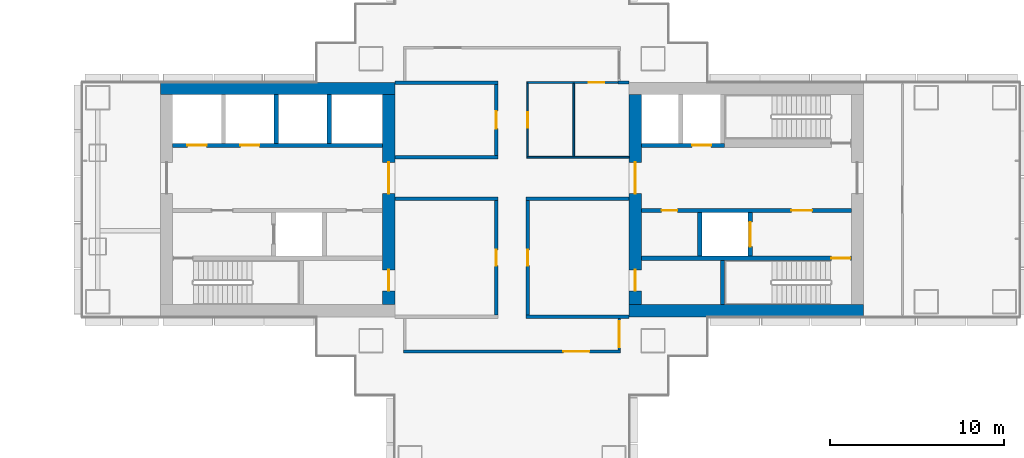
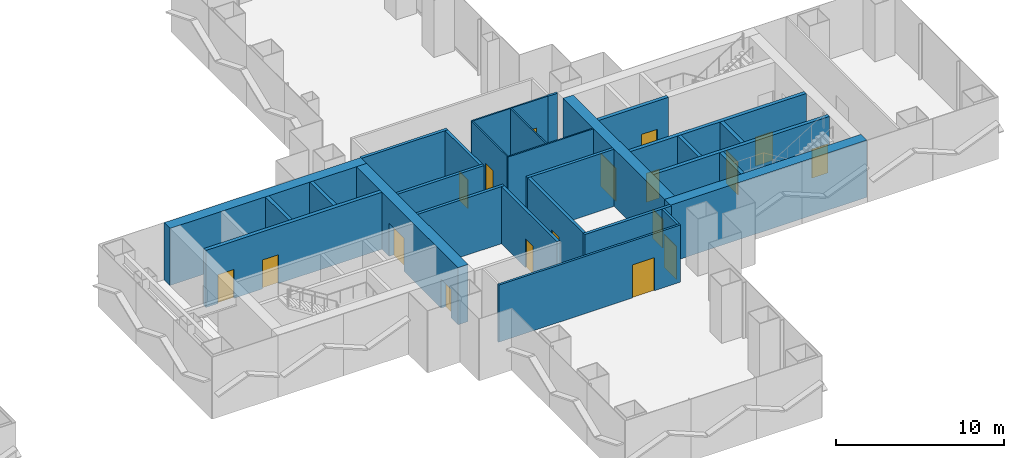
# One storey, part 16 of 22: 28 walls, 18 doors, 18 openings.
"""IFC4 building model written with IfcOpenShell, lengths in metres."""

import ifcopenshell
import ifcopenshell.guid

model = None  # the IFC model being written
_history = None  # IfcOwnerHistory: only IFC2X3 demands one
_inside = {}  # id of a spatial element -> (the spatial element, [elements in it])
_under = {}  # id of a project, library or spatial element -> (it, [spatial elements below it])
_declared = {}  # id of a project -> (the project, [libraries it declares])
_typed = {}  # id of a type object -> (the type object, [elements of that type])
_made_of = {}  # id of a material, layer set ... -> (it, [elements and type objects made of it])


def new_model(schema):
    """Start an empty IFC model of exactly this schema.

    Asked for "IFC4X3", IfcOpenShell would pick the latest addendum, in which some entities
    have other attributes; the version numbers below select the first issue.
    IFC2X3 requires an IfcOwnerHistory on every rooted entity: one is made here for all.
    """
    global model, _history
    if schema == "IFC4X3":
        model = ifcopenshell.file(schema_version=(4, 3, 0, 0))
    else:
        model = ifcopenshell.file(schema=schema)
    _inside.clear()
    _under.clear()
    _declared.clear()
    _typed.clear()
    _made_of.clear()
    _history = None
    if model.schema == "IFC2X3":
        org = make("IfcOrganization", Name="unknown")
        user = make(
            "IfcPersonAndOrganization",
            ThePerson=make("IfcPerson", FamilyName="unknown"),
            TheOrganization=org,
        )
        app = make(
            "IfcApplication",
            ApplicationDeveloper=org,
            Version="unknown",
            ApplicationFullName="unknown",
            ApplicationIdentifier="unknown",
        )
        _history = make(
            "IfcOwnerHistory",
            OwningUser=user,
            OwningApplication=app,
            ChangeAction="ADDED",
            CreationDate=0,
        )
    return model


def make(cls, **values):
    """One entity of the class cls with the attributes given. An attribute that is None is left unset."""
    return model.create_entity(
        cls, **{name: value for name, value in values.items() if value is not None}
    )


def rooted(cls, **values):
    """An entity with a GlobalId (a new one), such as an element, a storey or a relation."""
    return make(cls, GlobalId=ifcopenshell.guid.new(), OwnerHistory=_history, **values)


def si_unit(unit_type, name, prefix=None):
    """IfcSIUnit, for example si_unit("LENGTHUNIT", "METRE", prefix="MILLI")."""
    return make("IfcSIUnit", UnitType=unit_type, Prefix=prefix, Name=name)


def assignment(units):
    """IfcUnitAssignment: the units of a project."""
    return None if units is None else make("IfcUnitAssignment", Units=units)


def point(xyz):
    """IfcCartesianPoint."""
    return None if xyz is None else make("IfcCartesianPoint", Coordinates=xyz)


def direction(xyz):
    """IfcDirection."""
    return None if xyz is None else make("IfcDirection", DirectionRatios=xyz)


def frame(location, z_axis=None, x_axis=None):
    """IfcAxis2Placement3D, a coordinate frame: its origin and axes. An axis left out is left unset."""
    return make(
        "IfcAxis2Placement3D",
        Location=point(location),
        Axis=direction(z_axis),
        RefDirection=direction(x_axis),
    )


def frame_2d(location, x_axis=None):
    """IfcAxis2Placement2D, a coordinate frame in the plane: its origin and x axis."""
    return make(
        "IfcAxis2Placement2D", Location=point(location), RefDirection=direction(x_axis)
    )


def origin():
    """The frame at (0, 0, 0) with its axes left unset."""
    return frame((0.0, 0.0, 0.0))


def place(relative_to, where):
    """IfcLocalPlacement: puts the frame where relative to a parent placement (None: the world)."""
    return make(
        "IfcLocalPlacement", PlacementRelTo=relative_to, RelativePlacement=where
    )


def context(
    kind, dimensions, precision=None, world=None, true_north=None, identifier=None
):
    """IfcGeometricRepresentationContext, for example the 3D "Model" context."""
    return make(
        "IfcGeometricRepresentationContext",
        ContextIdentifier=identifier,
        ContextType=kind,
        CoordinateSpaceDimension=dimensions,
        Precision=precision,
        WorldCoordinateSystem=world,
        TrueNorth=true_north,
    )


def subcontext(parent, identifier, kind, view, scale=None):
    """IfcGeometricRepresentationSubContext, for example "Body" below "Model"."""
    return make(
        "IfcGeometricRepresentationSubContext",
        ContextIdentifier=identifier,
        ContextType=kind,
        ParentContext=parent,
        TargetScale=scale,
        TargetView=view,
    )


def project(units=None, contexts=None):
    """IfcProject with its units and contexts."""
    return rooted(
        "IfcProject",
        Name="project",
        RepresentationContexts=contexts,
        UnitsInContext=assignment(units),
    )


def spatial(cls, under=None, at=None, **own):
    """A site, building, storey or space (cls), placed at a placement, below another one or the project."""
    s = rooted(cls, ObjectPlacement=at, **own)
    if under is not None:
        _under.setdefault(under.id(), (under, []))[1].append(s)
    return s


def profile(cls, at=None, kind="AREA", **sizes):
    """A parametric profile (cls). Its sizes go by their IFC names, for example OverallWidth=200.0."""
    return make(cls, ProfileType=kind, Position=at, **sizes)


def rectangle(**sizes):
    """IfcRectangleProfileDef."""
    return profile("IfcRectangleProfileDef", **sizes)


def extrude(swept, where, along, depth):
    """IfcExtrudedAreaSolid: the profile swept, set in the frame where, extruded along a direction by depth."""
    return make(
        "IfcExtrudedAreaSolid",
        SweptArea=swept,
        Position=where,
        ExtrudedDirection=direction(along),
        Depth=depth,
    )


def shape(context_of_items, identifier, shape_type, items):
    """IfcShapeRepresentation: the items that make up one representation, for example the "Body"."""
    return make(
        "IfcShapeRepresentation",
        ContextOfItems=context_of_items,
        RepresentationIdentifier=identifier,
        RepresentationType=shape_type,
        Items=items,
    )


def material(Name=None, Category=None):
    """IfcMaterial."""
    return make("IfcMaterial", Name=Name, Category=Category)


def layer(
    of_material, thickness, ventilated=None, Name=None, Category=None, Priority=None
):
    """IfcMaterialLayer: one layer of a wall or slab, of a material (None: an air gap)."""
    return make(
        "IfcMaterialLayer",
        Material=of_material,
        LayerThickness=thickness,
        IsVentilated=ventilated,
        Name=Name,
        Category=Category,
        Priority=Priority,
    )


def layer_set(layers, Name=None):
    """IfcMaterialLayerSet."""
    return make("IfcMaterialLayerSet", MaterialLayers=layers, LayerSetName=Name)


def made_of(thing, what):
    """Note that an element or type object is made of a material, layer set ...; save() writes the relation."""
    if what is not None:
        _made_of.setdefault(what.id(), (what, []))[1].append(thing)
    return thing


def type_object(cls, material=None, **own):
    """A type object (cls), such as IfcWallType, which elements share."""
    return made_of(rooted(cls, **own), material)


def element(
    cls,
    number,
    at=None,
    inside=None,
    cuts=None,
    type_object=None,
    material=None,
    context=None,
    identifier="Body",
    shape_type=None,
    held_by="IfcProductDefinitionShape",
    body=None,
    shapes=None,
    **own,
):
    """One element of the class cls, such as IfcWall. Its Tag is "e" and its number.

    at: its placement. inside: the storey or other place that contains it. cuts: it is an
    opening in that element (IfcRelVoidsElement). A single representation is given by context,
    identifier, shape_type and body (its items); several are given by shapes. held_by: the class
    of the entity that holds the representations. save() writes the other relations.
    """
    e = rooted(cls, Tag="e%d" % number, ObjectPlacement=at, **own)
    if body is not None:
        shapes = [shape(context, identifier, shape_type, body)]
    if shapes is not None:
        e.Representation = make(held_by, Representations=shapes)
    if inside is not None:
        _inside.setdefault(inside.id(), (inside, []))[1].append(e)
    if cuts is not None:
        rooted(
            "IfcRelVoidsElement", RelatingBuildingElement=cuts, RelatedOpeningElement=e
        )
    if type_object is not None:
        _typed.setdefault(type_object.id(), (type_object, []))[1].append(e)
    return made_of(e, material)


def fill(opening, filler):
    """IfcRelFillsElement: the door or window that sits in an opening."""
    return rooted(
        "IfcRelFillsElement",
        RelatingOpeningElement=opening,
        RelatedBuildingElement=filler,
    )


def aggregate(whole, parts):
    """IfcRelAggregates: a whole, such as a stair, and the parts it consists of."""
    return rooted("IfcRelAggregates", RelatingObject=whole, RelatedObjects=parts)


def save(model, path):
    """Write the relations noted so far, then the file.

    IfcRelAggregates (storeys below a building ...), IfcRelContainedInSpatialStructure (elements
    in a storey), IfcRelDefinesByType, IfcRelAssociatesMaterial and IfcRelDeclares: one each for
    every whole, place, type object, material and project.
    """
    for whole, parts in _under.values():
        aggregate(whole, parts)
    for where, things in _inside.values():
        rooted(
            "IfcRelContainedInSpatialStructure",
            RelatedElements=things,
            RelatingStructure=where,
        )
    for kind, things in _typed.values():
        rooted("IfcRelDefinesByType", RelatedObjects=things, RelatingType=kind)
    for what, things in _made_of.values():
        rooted("IfcRelAssociatesMaterial", RelatedObjects=things, RelatingMaterial=what)
    for by, libraries in _declared.values():
        rooted("IfcRelDeclares", RelatingContext=by, RelatedDefinitions=libraries)
    model.write(path)


model = new_model("IFC4")

# Units and contexts
model_context = context("Model", 3, precision=1e-05, world=origin(), true_north=direction((0.0, 1.0)))
body_context = subcontext(model_context, "Body", "Model", "MODEL_VIEW")
ifc_project = project(units=[si_unit("LENGTHUNIT", "METRE"), si_unit("AREAUNIT", "SQUARE_METRE"), si_unit("VOLUMEUNIT", "CUBIC_METRE"), si_unit("PLANEANGLEUNIT", "RADIAN"), si_unit("MASSUNIT", "GRAM", prefix="KILO")], contexts=[model_context])

# Site, building, storey
site_placement = place(None, origin())
site = spatial("IfcSite", under=ifc_project, at=site_placement, CompositionType="ELEMENT")
building_placement = place(site_placement, origin())
building = spatial("IfcBuilding", under=site, at=building_placement, Name="Shamsa Quay Exchange Towers", CompositionType="ELEMENT")
storey_placement = place(building_placement, frame((0.0, 0.0, 37.5)))
storey = spatial("IfcBuildingStorey", under=building, at=storey_placement, Name="L07", CompositionType="ELEMENT", Elevation=37.5)

# Wall
ifc_material_1 = material(Name="Concrete C80/95", Category="concrete")
ifc_layer_1 = layer(ifc_material_1, 0.699951171875)
ifc_layer_set_1 = layer_set([ifc_layer_1], Name="CORE WALL 700 C80/95")
wall_type_1 = type_object("IfcWallType", Name="CORE WALL 700 C80/95", PredefinedType="SHEAR", material=ifc_layer_set_1)
wall_1_placement = place(storey_placement, frame((13.5, 6.39990234375, 0.0)))
element("IfcWall", 1, at=wall_1_placement, inside=storey, type_object=wall_type_1, Name="Core wall T2A-R02-PN", PredefinedType="SHEAR", context=body_context, shape_type="SweptSolid", body=[
    extrude(rectangle(XDim=13.5, YDim=0.699951171875, at=frame_2d((6.75, 0.0))), origin(), (0.0, 0.0, 1.0), 4.14990234375),
])

# Wall, openings, doors
wall_2_placement = place(storey_placement, frame((26.64990234375, 6.050048828125, 0.0), z_axis=(0.0, 0.0, 1.0), x_axis=(0.0, -1.0, 0.0)))
wall_2 = element("IfcWall", 2, at=wall_2_placement, inside=storey, type_object=wall_type_1, Name="Core wall T2A-R02-PB", PredefinedType="SHEAR", context=body_context, shape_type="SweptSolid", body=[
    extrude(rectangle(XDim=12.10009765625, YDim=0.699951171875, at=frame_2d((6.050048828125, 0.0))), origin(), (0.0, 0.0, 1.0), 4.14990234375),
])
opening_1_placement = place(wall_2_placement, frame((10.10009765625, 0.0, 0.0)))
opening_1 = element("IfcOpeningElement", 3, at=opening_1_placement, cuts=wall_2, Name="Opening T2A-R02-RD02", PredefinedType="OPENING", context=body_context, shape_type="SweptSolid", body=[
    extrude(rectangle(XDim=1.199951171875, YDim=2.10009765625, at=frame_2d((0.60009765625, 1.050048828125))), frame((0.0, 0.35986328125, 0.0), z_axis=(0.0, -1.0, 0.0), x_axis=(1.0, 0.0, 0.0)), (0.0, 0.0, 1.0), 0.719970703125),
])
opening_2_placement = place(wall_2_placement, frame((3.89990234375, 0.0, 0.0)))
opening_2 = element("IfcOpeningElement", 4, at=opening_2_placement, cuts=wall_2, Name="Opening T2A-R02-LBD03", PredefinedType="OPENING", context=body_context, shape_type="SweptSolid", body=[
    extrude(rectangle(XDim=1.800048828125, YDim=2.39990234375, at=frame_2d((0.89990234375, 1.199951171875))), frame((0.0, 0.35986328125, 0.0), z_axis=(0.0, -1.0, 0.0), x_axis=(1.0, 0.0, 0.0)), (0.0, 0.0, 1.0), 0.719970703125),
])
ifc_material_2 = material(Name="Steel, fire rated", Category="steel")
door_type_1 = type_object("IfcDoorType", Name="LIFT LOBBY DOOR PAIR 1800", OperationType="DOUBLE_DOOR_SINGLE_SWING", PredefinedType="DOOR", material=ifc_material_2)
door_1_placement = place(opening_2_placement, origin())
door_1 = element("IfcDoor", 5, at=door_1_placement, inside=storey, type_object=door_type_1, Name="T2A-R02-LBD03", OperationType="DOUBLE_DOOR_SINGLE_SWING", OverallHeight=2.39990234375, OverallWidth=1.800048828125, PredefinedType="DOOR", context=body_context, shape_type="SweptSolid", body=[
    extrude(rectangle(XDim=1.800048828125, YDim=2.39990234375, at=frame_2d((0.89990234375, 1.199951171875))), frame((0.0, 0.02490234375, 0.0), z_axis=(0.0, -1.0, 0.0), x_axis=(1.0, 0.0, 0.0)), (0.0, 0.0, 1.0), 0.050048828125),
])
fill(opening_2, door_1)
door_type_2 = type_object("IfcDoorType", Name="RISER ACCESS DOOR 1200", OperationType="SINGLE_SWING_LEFT", PredefinedType="DOOR", material=ifc_material_2)
door_2_placement = place(opening_1_placement, origin())
door_2 = element("IfcDoor", 6, at=door_2_placement, inside=storey, type_object=door_type_2, Name="T2A-R02-RD02", OperationType="SINGLE_SWING_RIGHT", OverallHeight=2.10009765625, OverallWidth=1.199951171875, PredefinedType="DOOR", context=body_context, shape_type="SweptSolid", body=[
    extrude(rectangle(XDim=1.199951171875, YDim=2.10009765625, at=frame_2d((0.60009765625, 1.050048828125))), frame((0.0, 0.02490234375, 0.0), z_axis=(0.0, -1.0, 0.0), x_axis=(1.0, 0.0, 0.0)), (0.0, 0.0, 1.0), 0.050048828125),
])
fill(opening_1, door_2)

# Wall
wall_3_placement = place(storey_placement, frame((54.0, -6.39990234375, 0.0), z_axis=(0.0, 0.0, 1.0), x_axis=(-1.0, 0.0, 0.0)))
element("IfcWall", 7, at=wall_3_placement, inside=storey, type_object=wall_type_1, Name="Core wall T2B-R02-PS", PredefinedType="SHEAR", context=body_context, shape_type="SweptSolid", body=[
    extrude(rectangle(XDim=13.5, YDim=0.699951171875, at=frame_2d((6.75, 0.0))), origin(), (0.0, 0.0, 1.0), 4.14990234375),
])

# Wall, openings, doors
wall_4_placement = place(storey_placement, frame((40.85009765625, -6.050048828125, 0.0), z_axis=(0.0, 0.0, 1.0), x_axis=(0.0, 1.0, 0.0)))
wall_4 = element("IfcWall", 8, at=wall_4_placement, inside=storey, type_object=wall_type_1, Name="Core wall T2B-R02-PB", PredefinedType="SHEAR", context=body_context, shape_type="SweptSolid", body=[
    extrude(rectangle(XDim=12.10009765625, YDim=0.699951171875, at=frame_2d((6.050048828125, 0.0))), origin(), (0.0, 0.0, 1.0), 4.14990234375),
])
opening_3_placement = place(wall_4_placement, frame((0.800048828125, 0.0, 0.0)))
opening_3 = element("IfcOpeningElement", 9, at=opening_3_placement, cuts=wall_4, Name="Opening T2B-R02-RD02", PredefinedType="OPENING", context=body_context, shape_type="SweptSolid", body=[
    extrude(rectangle(XDim=1.199951171875, YDim=2.10009765625, at=frame_2d((0.60009765625, 1.050048828125))), frame((0.0, 0.35986328125, 0.0), z_axis=(0.0, -1.0, 0.0), x_axis=(1.0, 0.0, 0.0)), (0.0, 0.0, 1.0), 0.719970703125),
])
opening_4_placement = place(wall_4_placement, frame((6.39990234375, 0.0, 0.0)))
opening_4 = element("IfcOpeningElement", 10, at=opening_4_placement, cuts=wall_4, Name="Opening T2B-R02-LBD03", PredefinedType="OPENING", context=body_context, shape_type="SweptSolid", body=[
    extrude(rectangle(XDim=1.800048828125, YDim=2.39990234375, at=frame_2d((0.89990234375, 1.199951171875))), frame((0.0, 0.35986328125, 0.0), z_axis=(0.0, -1.0, 0.0), x_axis=(1.0, 0.0, 0.0)), (0.0, 0.0, 1.0), 0.719970703125),
])
door_3_placement = place(opening_4_placement, origin())
door_3 = element("IfcDoor", 11, at=door_3_placement, inside=storey, type_object=door_type_1, Name="T2B-R02-LBD03", OperationType="DOUBLE_DOOR_SINGLE_SWING", OverallHeight=2.39990234375, OverallWidth=1.800048828125, PredefinedType="DOOR", context=body_context, shape_type="SweptSolid", body=[
    extrude(rectangle(XDim=1.800048828125, YDim=2.39990234375, at=frame_2d((0.89990234375, 1.199951171875))), frame((0.0, 0.02490234375, 0.0), z_axis=(0.0, -1.0, 0.0), x_axis=(1.0, 0.0, 0.0)), (0.0, 0.0, 1.0), 0.050048828125),
])
fill(opening_4, door_3)
door_4_placement = place(opening_3_placement, origin())
door_4 = element("IfcDoor", 12, at=door_4_placement, inside=storey, type_object=door_type_2, Name="T2B-R02-RD02", OperationType="SINGLE_SWING_LEFT", OverallHeight=2.10009765625, OverallWidth=1.199951171875, PredefinedType="DOOR", context=body_context, shape_type="SweptSolid", body=[
    extrude(rectangle(XDim=1.199951171875, YDim=2.10009765625, at=frame_2d((0.60009765625, 1.050048828125))), frame((0.0, 0.02490234375, 0.0), z_axis=(0.0, -1.0, 0.0), x_axis=(1.0, 0.0, 0.0)), (0.0, 0.0, 1.0), 0.050048828125),
])
fill(opening_3, door_4)

# Wall
ifc_material_3 = material(Name="Gypsum board partition on metal studs")
ifc_layer_2 = layer(ifc_material_3, 0.10009765625)
ifc_layer_set_2 = layer_set([ifc_layer_2], Name="Partition 100 mm NOT RATED")
wall_type_2 = type_object("IfcWallType", Name="Partition 100 mm NOT RATED", PredefinedType="PARTITIONING", material=ifc_layer_set_2)
wall_5_placement = place(storey_placement, frame((34.600341796875, 2.4501953125, 0.0)))
element("IfcWall", 13, at=wall_5_placement, inside=storey, type_object=wall_type_2, Name="Partition T2-R02-W09", PredefinedType="PARTITIONING", context=body_context, shape_type="SweptSolid", body=[
    extrude(rectangle(XDim=5.899658203125, YDim=0.10009765625, at=frame_2d((2.94970703125, 0.0))), origin(), (0.0, 0.0, 1.0), 4.14990234375),
])

# Wall, opening, door
wall_6_placement = place(storey_placement, frame((39.999755859375, 6.75, 0.0), z_axis=(0.0, 0.0, 1.0), x_axis=(-1.0, 0.0, 0.0)))
wall_6 = element("IfcWall", 14, at=wall_6_placement, inside=storey, type_object=wall_type_2, Name="Partition T2-R02-W10", PredefinedType="PARTITIONING", context=body_context, shape_type="SweptSolid", body=[
    extrude(rectangle(XDim=5.3994140625, YDim=0.10009765625, at=frame_2d((2.69970703125, 0.0))), origin(), (0.0, 0.0, 1.0), 4.14990234375),
])
opening_5_placement = place(wall_6_placement, frame((0.93115234375, 0.0, 0.0)))
opening_5 = element("IfcOpeningElement", 15, at=opening_5_placement, cuts=wall_6, Name="Opening T2-R02-D07", PredefinedType="OPENING", context=body_context, shape_type="SweptSolid", body=[
    extrude(rectangle(XDim=0.89990234375, YDim=2.10009765625, at=frame_2d((0.449951171875, 1.050048828125))), frame((0.0, 0.06005859375, 0.0), z_axis=(0.0, -1.0, 0.0), x_axis=(1.0, 0.0, 0.0)), (0.0, 0.0, 1.0), 0.1201171875),
])
ifc_material_4 = material(Name="Timber door leaf in a metal frame", Category="wood")
door_type_3 = type_object("IfcDoorType", Name="Door 900x2100 NOT RATED", OperationType="NOTDEFINED", PredefinedType="DOOR", material=ifc_material_4)
door_5_placement = place(opening_5_placement, origin())
door_5 = element("IfcDoor", 16, at=door_5_placement, inside=storey, type_object=door_type_3, Name="Door T2-R02-D07", OperationType="SINGLE_SWING_RIGHT", OverallHeight=2.10009765625, OverallWidth=0.89990234375, PredefinedType="DOOR", context=body_context, shape_type="SweptSolid", body=[
    extrude(rectangle(XDim=0.89990234375, YDim=2.10009765625, at=frame_2d((0.449951171875, 1.050048828125))), frame((0.0, 0.02490234375, 0.0), z_axis=(0.0, -1.0, 0.0), x_axis=(1.0, 0.0, 0.0)), (0.0, 0.0, 1.0), 0.050048828125),
])
fill(opening_5, door_5)

wall_7_placement = place(storey_placement, frame((34.650390625, 6.699951171875, 0.0), z_axis=(0.0, 0.0, 1.0), x_axis=(0.0, -1.0, 0.0)))
wall_7 = element("IfcWall", 17, at=wall_7_placement, inside=storey, type_object=wall_type_2, Name="Partition T2-R02-W11", PredefinedType="PARTITIONING", context=body_context, shape_type="SweptSolid", body=[
    extrude(rectangle(XDim=4.19970703125, YDim=0.10009765625, at=frame_2d((2.099853515625, 0.0))), origin(), (0.0, 0.0, 1.0), 4.14990234375),
])
opening_6_placement = place(wall_7_placement, frame((1.64990234375, 0.0, 0.0)))
opening_6 = element("IfcOpeningElement", 18, at=opening_6_placement, cuts=wall_7, Name="Opening T2-R02-D06", PredefinedType="OPENING", context=body_context, shape_type="SweptSolid", body=[
    extrude(rectangle(XDim=0.89990234375, YDim=2.10009765625, at=frame_2d((0.449951171875, 1.050048828125))), frame((0.0, 0.06005859375, 0.0), z_axis=(0.0, -1.0, 0.0), x_axis=(1.0, 0.0, 0.0)), (0.0, 0.0, 1.0), 0.1201171875),
])
door_6_placement = place(opening_6_placement, origin())
door_6 = element("IfcDoor", 19, at=door_6_placement, inside=storey, type_object=door_type_3, Name="Door T2-R02-D06", OperationType="SINGLE_SWING_RIGHT", OverallHeight=2.10009765625, OverallWidth=0.89990234375, PredefinedType="DOOR", context=body_context, shape_type="SweptSolid", body=[
    extrude(rectangle(XDim=0.89990234375, YDim=2.10009765625, at=frame_2d((0.449951171875, 1.050048828125))), frame((0.0, 0.02490234375, 0.0), z_axis=(0.0, -1.0, 0.0), x_axis=(1.0, 0.0, 0.0)), (0.0, 0.0, 1.0), 0.050048828125),
])
fill(opening_6, door_6)

# Wall
wall_8_placement = place(storey_placement, frame((37.3125, 6.699951171875, 0.0), z_axis=(0.0, 0.0, 1.0), x_axis=(0.0, -1.0, 0.0)))
element("IfcWall", 20, at=wall_8_placement, inside=storey, type_object=wall_type_2, Name="Partition T2-R02-W20", PredefinedType="PARTITIONING", context=body_context, shape_type="SweptSolid", body=[
    extrude(rectangle(XDim=4.19970703125, YDim=0.10009765625, at=frame_2d((2.099853515625, 0.0))), origin(), (0.0, 0.0, 1.0), 4.14990234375),
])

# Wall, opening, door
ifc_layer_3 = layer(ifc_material_3, 0.14990234375)
ifc_layer_set_3 = layer_set([ifc_layer_3], Name="Partition 150 mm EI 60")
wall_type_3 = type_object("IfcWallType", Name="Partition 150 mm EI 60", PredefinedType="PARTITIONING", material=ifc_layer_set_3)
wall_9_placement = place(storey_placement, frame((39.9248046875, -8.675048828125, 0.0), z_axis=(0.0, 0.0, 1.0), x_axis=(0.0, 1.0, 0.0)))
wall_9 = element("IfcWall", 21, at=wall_9_placement, inside=storey, type_object=wall_type_3, Name="Partition T2-R02-W14", PredefinedType="PARTITIONING", context=body_context, shape_type="SweptSolid", body=[
    extrude(rectangle(XDim=1.824951171875, YDim=0.14990234375, at=frame_2d((0.91259765625, 0.0))), origin(), (0.0, 0.0, 1.0), 4.14990234375),
])
opening_7_placement = place(wall_9_placement, frame((0.175048828125, 0.0, 0.0)))
opening_7 = element("IfcOpeningElement", 22, at=opening_7_placement, cuts=wall_9, Name="Opening T2-R02-D03", PredefinedType="OPENING", context=body_context, shape_type="SweptSolid", body=[
    extrude(rectangle(XDim=1.5, YDim=2.39990234375, at=frame_2d((0.75, 1.199951171875))), frame((0.0, 0.0849609375, 0.0), z_axis=(0.0, -1.0, 0.0), x_axis=(1.0, 0.0, 0.0)), (0.0, 0.0, 1.0), 0.169921875),
])
door_type_4 = type_object("IfcDoorType", Name="Door 1500x2400 FD30S pair", OperationType="NOTDEFINED", PredefinedType="DOOR", material=ifc_material_4)
door_7_placement = place(opening_7_placement, origin())
door_7 = element("IfcDoor", 23, at=door_7_placement, inside=storey, type_object=door_type_4, Name="Door T2-R02-D03", OperationType="DOUBLE_DOOR_SINGLE_SWING", OverallHeight=2.39990234375, OverallWidth=1.5, PredefinedType="DOOR", context=body_context, shape_type="SweptSolid", body=[
    extrude(rectangle(XDim=1.5, YDim=2.39990234375, at=frame_2d((0.75, 1.199951171875))), frame((0.0, 0.02490234375, 0.0), z_axis=(0.0, -1.0, 0.0), x_axis=(1.0, 0.0, 0.0)), (0.0, 0.0, 1.0), 0.050048828125),
])
fill(opening_7, door_7)

wall_10_placement = place(storey_placement, frame((27.500244140625, -8.75, 0.0)))
wall_10 = element("IfcWall", 24, at=wall_10_placement, inside=storey, type_object=wall_type_3, Name="Partition T2-R02-W18", PredefinedType="PARTITIONING", context=body_context, shape_type="SweptSolid", body=[
    extrude(rectangle(XDim=12.49951171875, YDim=0.14990234375, at=frame_2d((6.249755859375, 0.0))), origin(), (0.0, 0.0, 1.0), 4.14990234375),
])
opening_8_placement = place(wall_10_placement, frame((9.20458984375, 0.0, 0.0)))
opening_8 = element("IfcOpeningElement", 25, at=opening_8_placement, cuts=wall_10, Name="Opening T2-R02-D02", PredefinedType="OPENING", context=body_context, shape_type="SweptSolid", body=[
    extrude(rectangle(XDim=1.5, YDim=2.39990234375, at=frame_2d((0.75, 1.199951171875))), frame((0.0, 0.0849609375, 0.0), z_axis=(0.0, -1.0, 0.0), x_axis=(1.0, 0.0, 0.0)), (0.0, 0.0, 1.0), 0.169921875),
])
door_8_placement = place(opening_8_placement, origin())
door_8 = element("IfcDoor", 26, at=door_8_placement, inside=storey, type_object=door_type_4, Name="Door T2-R02-D02", OperationType="DOUBLE_DOOR_SINGLE_SWING", OverallHeight=2.39990234375, OverallWidth=1.5, PredefinedType="DOOR", context=body_context, shape_type="SweptSolid", body=[
    extrude(rectangle(XDim=1.5, YDim=2.39990234375, at=frame_2d((0.75, 1.199951171875))), frame((0.0, 0.02490234375, 0.0), z_axis=(0.0, -1.0, 0.0), x_axis=(1.0, 0.0, 0.0)), (0.0, 0.0, 1.0), 0.050048828125),
])
fill(opening_8, door_8)

# Walls
wall_11_placement = place(storey_placement, frame((40.5, 6.75, 0.0), z_axis=(0.0, 0.0, 1.0), x_axis=(-1.0, 0.0, 0.0)))
element("IfcWall", 27, at=wall_11_placement, inside=storey, type_object=wall_type_3, Name="Partition T2-R02-W21", PredefinedType="PARTITIONING", context=body_context, shape_type="SweptSolid", body=[
    extrude(rectangle(XDim=0.650146484375, YDim=0.14990234375, at=frame_2d((0.3251953125, 0.0))), origin(), (0.0, 0.0, 1.0), 4.14990234375),
])
ifc_layer_4 = layer(ifc_material_3, 0.199951171875)
ifc_layer_set_4 = layer_set([ifc_layer_4], Name="Partition 200 mm EI 120")
wall_type_4 = type_object("IfcWallType", Name="Partition 200 mm EI 120", PredefinedType="PARTITIONING", material=ifc_layer_set_4)
wall_12_placement = place(storey_placement, frame((32.94970703125, 6.75, 0.0), z_axis=(0.0, 0.0, 1.0), x_axis=(-1.0, 0.0, 0.0)))
element("IfcWall", 28, at=wall_12_placement, inside=storey, type_object=wall_type_4, Name="Partition T2-R02-W01", PredefinedType="PARTITIONING", context=body_context, shape_type="SweptSolid", body=[
    extrude(rectangle(XDim=5.94970703125, YDim=0.199951171875, at=frame_2d((2.974853515625, 0.0))), origin(), (0.0, 0.0, 1.0), 4.14990234375),
])

# Wall, opening, door
wall_13_placement = place(storey_placement, frame((32.849609375, 2.55029296875, 0.0), z_axis=(0.0, 0.0, 1.0), x_axis=(0.0, 1.0, 0.0)))
wall_13 = element("IfcWall", 29, at=wall_13_placement, inside=storey, type_object=wall_type_4, Name="Partition T2-R02-W02", PredefinedType="PARTITIONING", context=body_context, shape_type="SweptSolid", body=[
    extrude(rectangle(XDim=4.099609375, YDim=0.199951171875, at=frame_2d((2.0498046875, 0.0))), origin(), (0.0, 0.0, 1.0), 4.14990234375),
])
opening_9_placement = place(wall_13_placement, frame((1.5498046875, 0.0, 0.0)))
opening_9 = element("IfcOpeningElement", 30, at=opening_9_placement, cuts=wall_13, Name="Opening T2-R02-D09", PredefinedType="OPENING", context=body_context, shape_type="SweptSolid", body=[
    extrude(rectangle(XDim=1.0, YDim=2.10009765625, at=frame_2d((0.5, 1.050048828125))), frame((0.0, 0.10986328125, 0.0), z_axis=(0.0, -1.0, 0.0), x_axis=(1.0, 0.0, 0.0)), (0.0, 0.0, 1.0), 0.219970703125),
])
door_type_5 = type_object("IfcDoorType", Name="Door 1000x2100 FD60", OperationType="NOTDEFINED", PredefinedType="DOOR", material=ifc_material_4)
door_9_placement = place(opening_9_placement, origin())
door_9 = element("IfcDoor", 31, at=door_9_placement, inside=storey, type_object=door_type_5, Name="Door T2-R02-D09", OperationType="SINGLE_SWING_RIGHT", OverallHeight=2.10009765625, OverallWidth=1.0, PredefinedType="DOOR", context=body_context, shape_type="SweptSolid", body=[
    extrude(rectangle(XDim=1.0, YDim=2.10009765625, at=frame_2d((0.5, 1.050048828125))), frame((0.0, 0.02490234375, 0.0), z_axis=(0.0, -1.0, 0.0), x_axis=(1.0, 0.0, 0.0)), (0.0, 0.0, 1.0), 0.050048828125),
])
fill(opening_9, door_9)

wall_14_placement = place(storey_placement, frame((32.849609375, -6.64990234375, 0.0), z_axis=(0.0, 0.0, 1.0), x_axis=(0.0, 1.0, 0.0)))
wall_14 = element("IfcWall", 32, at=wall_14_placement, inside=storey, type_object=wall_type_4, Name="Partition T2-R02-W03", PredefinedType="PARTITIONING", context=body_context, shape_type="SweptSolid", body=[
    extrude(rectangle(XDim=6.599609375, YDim=0.199951171875, at=frame_2d((3.2998046875, 0.0))), origin(), (0.0, 0.0, 1.0), 4.14990234375),
])
opening_10_placement = place(wall_14_placement, frame((2.849853515625, 0.0, 0.0)))
opening_10 = element("IfcOpeningElement", 33, at=opening_10_placement, cuts=wall_14, Name="Opening T2-R02-D08", PredefinedType="OPENING", context=body_context, shape_type="SweptSolid", body=[
    extrude(rectangle(XDim=0.89990234375, YDim=2.10009765625, at=frame_2d((0.449951171875, 1.050048828125))), frame((0.0, 0.10986328125, 0.0), z_axis=(0.0, -1.0, 0.0), x_axis=(1.0, 0.0, 0.0)), (0.0, 0.0, 1.0), 0.219970703125),
])
door_type_6 = type_object("IfcDoorType", Name="Door 900x2100 FD60", OperationType="NOTDEFINED", PredefinedType="DOOR", material=ifc_material_4)
door_10_placement = place(opening_10_placement, origin())
door_10 = element("IfcDoor", 34, at=door_10_placement, inside=storey, type_object=door_type_6, Name="Door T2-R02-D08", OperationType="SINGLE_SWING_RIGHT", OverallHeight=2.10009765625, OverallWidth=0.89990234375, PredefinedType="DOOR", context=body_context, shape_type="SweptSolid", body=[
    extrude(rectangle(XDim=0.89990234375, YDim=2.10009765625, at=frame_2d((0.449951171875, 1.050048828125))), frame((0.0, 0.02490234375, 0.0), z_axis=(0.0, -1.0, 0.0), x_axis=(1.0, 0.0, 0.0)), (0.0, 0.0, 1.0), 0.050048828125),
])
fill(opening_10, door_10)

# Walls
wall_15_placement = place(storey_placement, frame((27.0, 2.4501953125, 0.0)))
element("IfcWall", 35, at=wall_15_placement, inside=storey, type_object=wall_type_4, Name="Partition T2-R02-W04", PredefinedType="PARTITIONING", context=body_context, shape_type="SweptSolid", body=[
    extrude(rectangle(XDim=5.94970703125, YDim=0.199951171875, at=frame_2d((2.974853515625, 0.0))), origin(), (0.0, 0.0, 1.0), 4.14990234375),
])
for number, where, z_axis, x_axis, name in (
    (36, (32.94970703125, 0.0498046875, 0.0), (0.0, 0.0, 1.0), (-1.0, 0.0, 0.0), "Partition T2-R02-W05"),
    (37, (40.5, 0.0498046875, 0.0), (0.0, 0.0, 1.0), (-1.0, 0.0, 0.0), "Partition T2-R02-W06"),
):
    element("IfcWall", number, at=place(storey_placement, frame(where, z_axis=z_axis, x_axis=x_axis)), inside=storey, type_object=wall_type_4, Name=name, PredefinedType="PARTITIONING", context=body_context, shape_type="SweptSolid", body=[
        extrude(rectangle(XDim=5.94970703125, YDim=0.199951171875, at=frame_2d((2.974853515625, 0.0))), origin(), (0.0, 0.0, 1.0), 4.14990234375),
    ])
wall_16_placement = place(storey_placement, frame((34.55029296875, -6.75, 0.0)))
element("IfcWall", 38, at=wall_16_placement, inside=storey, type_object=wall_type_4, Name="Partition T2-R02-W07", PredefinedType="PARTITIONING", context=body_context, shape_type="SweptSolid", body=[
    extrude(rectangle(XDim=5.94970703125, YDim=0.199951171875, at=frame_2d((2.974853515625, 0.0))), origin(), (0.0, 0.0, 1.0), 4.14990234375),
])

# Wall, opening, door
wall_17_placement = place(storey_placement, frame((34.650390625, -0.05029296875, 0.0), z_axis=(0.0, 0.0, 1.0), x_axis=(0.0, -1.0, 0.0)))
wall_17 = element("IfcWall", 39, at=wall_17_placement, inside=storey, type_object=wall_type_4, Name="Partition T2-R02-W12", PredefinedType="PARTITIONING", context=body_context, shape_type="SweptSolid", body=[
    extrude(rectangle(XDim=6.599609375, YDim=0.199951171875, at=frame_2d((3.2998046875, 0.0))), origin(), (0.0, 0.0, 1.0), 4.14990234375),
])
opening_11_placement = place(wall_17_placement, frame((2.849853515625, 0.0, 0.0)))
opening_11 = element("IfcOpeningElement", 40, at=opening_11_placement, cuts=wall_17, Name="Opening T2-R02-D05", PredefinedType="OPENING", context=body_context, shape_type="SweptSolid", body=[
    extrude(rectangle(XDim=0.89990234375, YDim=2.10009765625, at=frame_2d((0.449951171875, 1.050048828125))), frame((0.0, 0.10986328125, 0.0), z_axis=(0.0, -1.0, 0.0), x_axis=(1.0, 0.0, 0.0)), (0.0, 0.0, 1.0), 0.219970703125),
])
door_11_placement = place(opening_11_placement, origin())
door_11 = element("IfcDoor", 41, at=door_11_placement, inside=storey, type_object=door_type_6, Name="Door T2-R02-D05", OperationType="SINGLE_SWING_RIGHT", OverallHeight=2.10009765625, OverallWidth=0.89990234375, PredefinedType="DOOR", context=body_context, shape_type="SweptSolid", body=[
    extrude(rectangle(XDim=0.89990234375, YDim=2.10009765625, at=frame_2d((0.449951171875, 1.050048828125))), frame((0.0, 0.02490234375, 0.0), z_axis=(0.0, -1.0, 0.0), x_axis=(1.0, 0.0, 0.0)), (0.0, 0.0, 1.0), 0.050048828125),
])
fill(opening_11, door_11)

# Wall, openings, doors
ifc_material_5 = material(Name="Concrete C50/60", Category="concrete")
ifc_layer_5 = layer(ifc_material_5, 0.25)
ifc_layer_set_5 = layer_set([ifc_layer_5], Name="SHAFT WALL 250 C50/60")
wall_type_5 = type_object("IfcWallType", Name="SHAFT WALL 250 C50/60", PredefinedType="SHEAR", material=ifc_layer_set_5)
wall_18_placement = place(storey_placement, frame((14.199951171875, 3.125, 0.0)))
wall_18 = element("IfcWall", 42, at=wall_18_placement, inside=storey, type_object=wall_type_5, Name="Shaft wall T2A-R02-N", PredefinedType="SHEAR", context=body_context, shape_type="SweptSolid", body=[
    extrude(rectangle(XDim=12.10009765625, YDim=0.25, at=frame_2d((6.050048828125, 0.0))), origin(), (0.0, 0.0, 1.0), 4.14990234375),
])
opening_12_placement = place(wall_18_placement, frame((0.85009765625, 0.0, 0.0)))
opening_12 = element("IfcOpeningElement", 43, at=opening_12_placement, cuts=wall_18, Name="Opening T2A-R02-LD08", PredefinedType="OPENING", context=body_context, shape_type="SweptSolid", body=[
    extrude(rectangle(XDim=1.10009765625, YDim=2.10009765625, at=frame_2d((0.550048828125, 1.050048828125))), frame((0.0, 0.135009765625, 0.0), z_axis=(0.0, -1.0, 0.0), x_axis=(1.0, 0.0, 0.0)), (0.0, 0.0, 1.0), 0.27001953125),
])
opening_13_placement = place(wall_18_placement, frame((3.89990234375, 0.0, 0.0)))
opening_13 = element("IfcOpeningElement", 44, at=opening_13_placement, cuts=wall_18, Name="Opening T2A-R02-LD09", PredefinedType="OPENING", context=body_context, shape_type="SweptSolid", body=[
    extrude(rectangle(XDim=1.10009765625, YDim=2.10009765625, at=frame_2d((0.550048828125, 1.050048828125))), frame((0.0, 0.135009765625, 0.0), z_axis=(0.0, -1.0, 0.0), x_axis=(1.0, 0.0, 0.0)), (0.0, 0.0, 1.0), 0.27001953125),
])
door_type_7 = type_object("IfcDoorType", Name="LANDING DOOR 1100", OperationType="SLIDING_TO_LEFT", PredefinedType="DOOR", material=ifc_material_2)
door_12_placement = place(opening_12_placement, origin())
door_12 = element("IfcDoor", 45, at=door_12_placement, inside=storey, type_object=door_type_7, Name="T2A-R02-LD08", OperationType="SLIDING_TO_LEFT", OverallHeight=2.10009765625, OverallWidth=1.10009765625, PredefinedType="DOOR", context=body_context, shape_type="SweptSolid", body=[
    extrude(rectangle(XDim=1.10009765625, YDim=2.10009765625, at=frame_2d((0.550048828125, 1.050048828125))), frame((0.0, 0.02490234375, 0.0), z_axis=(0.0, -1.0, 0.0), x_axis=(1.0, 0.0, 0.0)), (0.0, 0.0, 1.0), 0.050048828125),
])
fill(opening_12, door_12)
door_13_placement = place(opening_13_placement, origin())
door_13 = element("IfcDoor", 46, at=door_13_placement, inside=storey, type_object=door_type_7, Name="T2A-R02-LD09", OperationType="SLIDING_TO_LEFT", OverallHeight=2.10009765625, OverallWidth=1.10009765625, PredefinedType="DOOR", context=body_context, shape_type="SweptSolid", body=[
    extrude(rectangle(XDim=1.10009765625, YDim=2.10009765625, at=frame_2d((0.550048828125, 1.050048828125))), frame((0.0, 0.02490234375, 0.0), z_axis=(0.0, -1.0, 0.0), x_axis=(1.0, 0.0, 0.0)), (0.0, 0.0, 1.0), 0.050048828125),
])
fill(opening_13, door_13)

# Walls
for number, where, z_axis, x_axis, name in (
    (47, (20.175048828125, 3.25, 0.0), (0.0, 0.0, 1.0), (0.0, 1.0, 0.0), "Shaft wall T2A-R02-D1"),
    (48, (23.22509765625, 3.25, 0.0), (0.0, 0.0, 1.0), (0.0, 1.0, 0.0), "Shaft wall T2A-R02-D2"),
):
    element("IfcWall", number, at=place(storey_placement, frame(where, z_axis=z_axis, x_axis=x_axis)), inside=storey, type_object=wall_type_5, Name=name, PredefinedType="SHEAR", context=body_context, shape_type="SweptSolid", body=[
        extrude(rectangle(XDim=2.800048828125, YDim=0.25, at=frame_2d((1.39990234375, 0.0))), origin(), (0.0, 0.0, 1.0), 4.14990234375),
    ])

# Wall, opening, door
wall_19_placement = place(storey_placement, frame((53.300048828125, -3.375, 0.0), z_axis=(0.0, 0.0, 1.0), x_axis=(-1.0, 0.0, 0.0)))
wall_19 = element("IfcWall", 49, at=wall_19_placement, inside=storey, type_object=wall_type_5, Name="Shaft wall T2B-R02-STL", PredefinedType="SHEAR", context=body_context, shape_type="SweptSolid", body=[
    extrude(rectangle(XDim=12.10009765625, YDim=0.25, at=frame_2d((6.050048828125, 0.0))), origin(), (0.0, 0.0, 1.0), 4.14990234375),
])
opening_14_placement = place(wall_19_placement, frame((0.050048828125, 0.0, 0.0)))
opening_14 = element("IfcOpeningElement", 50, at=opening_14_placement, cuts=wall_19, Name="Opening T2B-R02-SD04", PredefinedType="OPENING", context=body_context, shape_type="SweptSolid", body=[
    extrude(rectangle(XDim=1.10009765625, YDim=2.10009765625, at=frame_2d((0.550048828125, 1.050048828125))), frame((0.0, 0.135009765625, 0.0), z_axis=(0.0, -1.0, 0.0), x_axis=(1.0, 0.0, 0.0)), (0.0, 0.0, 1.0), 0.27001953125),
])
door_type_8 = type_object("IfcDoorType", Name="STAIR DOOR 1100", OperationType="SINGLE_SWING_LEFT", PredefinedType="DOOR", material=ifc_material_2)
door_14_placement = place(opening_14_placement, origin())
door_14 = element("IfcDoor", 51, at=door_14_placement, inside=storey, type_object=door_type_8, Name="T2B-R02-SD04", OperationType="SINGLE_SWING_LEFT", OverallHeight=2.10009765625, OverallWidth=1.10009765625, PredefinedType="DOOR", context=body_context, shape_type="SweptSolid", body=[
    extrude(rectangle(XDim=1.10009765625, YDim=2.10009765625, at=frame_2d((0.550048828125, 1.050048828125))), frame((0.0, 0.02490234375, 0.0), z_axis=(0.0, -1.0, 0.0), x_axis=(1.0, 0.0, 0.0)), (0.0, 0.0, 1.0), 0.050048828125),
])
fill(opening_14, door_14)

# Wall
wall_20_placement = place(storey_placement, frame((45.875, -6.050048828125, 0.0), z_axis=(0.0, 0.0, 1.0), x_axis=(0.0, 1.0, 0.0)))
element("IfcWall", 52, at=wall_20_placement, inside=storey, type_object=wall_type_5, Name="Shaft wall T2B-R02-STF", PredefinedType="SHEAR", context=body_context, shape_type="SweptSolid", body=[
    extrude(rectangle(XDim=2.550048828125, YDim=0.25, at=frame_2d((1.27490234375, 0.0))), origin(), (0.0, 0.0, 1.0), 4.14990234375),
])

# Wall, openings, doors
wall_21_placement = place(storey_placement, frame((53.300048828125, -0.625, 0.0), z_axis=(0.0, 0.0, 1.0), x_axis=(-1.0, 0.0, 0.0)))
wall_21 = element("IfcWall", 53, at=wall_21_placement, inside=storey, type_object=wall_type_5, Name="Shaft wall T2B-R02-B", PredefinedType="SHEAR", context=body_context, shape_type="SweptSolid", body=[
    extrude(rectangle(XDim=12.10009765625, YDim=0.25, at=frame_2d((6.050048828125, 0.0))), origin(), (0.0, 0.0, 1.0), 4.14990234375),
])
opening_15_placement = place(wall_21_placement, frame((2.25, 0.0, 0.0)))
opening_15 = element("IfcOpeningElement", 54, at=opening_15_placement, cuts=wall_21, Name="Opening T2B-R02-FD05", PredefinedType="OPENING", context=body_context, shape_type="SweptSolid", body=[
    extrude(rectangle(XDim=1.199951171875, YDim=2.10009765625, at=frame_2d((0.60009765625, 1.050048828125))), frame((0.0, 0.135009765625, 0.0), z_axis=(0.0, -1.0, 0.0), x_axis=(1.0, 0.0, 0.0)), (0.0, 0.0, 1.0), 0.27001953125),
])
opening_16_placement = place(wall_21_placement, frame((10.02490234375, 0.0, 0.0)))
opening_16 = element("IfcOpeningElement", 55, at=opening_16_placement, cuts=wall_21, Name="Opening T2B-R02-SV06", PredefinedType="OPENING", context=body_context, shape_type="SweptSolid", body=[
    extrude(rectangle(XDim=0.89990234375, YDim=2.10009765625, at=frame_2d((0.449951171875, 1.050048828125))), frame((0.0, 0.135009765625, 0.0), z_axis=(0.0, -1.0, 0.0), x_axis=(1.0, 0.0, 0.0)), (0.0, 0.0, 1.0), 0.27001953125),
])
door_type_9 = type_object("IfcDoorType", Name="FIRE SERVICE LOBBY DOOR 1200", OperationType="SINGLE_SWING_LEFT", PredefinedType="DOOR", material=ifc_material_2)
door_15_placement = place(opening_15_placement, origin())
door_15 = element("IfcDoor", 56, at=door_15_placement, inside=storey, type_object=door_type_9, Name="T2B-R02-FD05", OperationType="SINGLE_SWING_LEFT", OverallHeight=2.10009765625, OverallWidth=1.199951171875, PredefinedType="DOOR", context=body_context, shape_type="SweptSolid", body=[
    extrude(rectangle(XDim=1.199951171875, YDim=2.10009765625, at=frame_2d((0.60009765625, 1.050048828125))), frame((0.0, 0.02490234375, 0.0), z_axis=(0.0, -1.0, 0.0), x_axis=(1.0, 0.0, 0.0)), (0.0, 0.0, 1.0), 0.050048828125),
])
fill(opening_15, door_15)
door_type_10 = type_object("IfcDoorType", Name="SERVICE ROOM DOOR 900", OperationType="SINGLE_SWING_LEFT", PredefinedType="DOOR", material=ifc_material_2)
door_16_placement = place(opening_16_placement, origin())
door_16 = element("IfcDoor", 57, at=door_16_placement, inside=storey, type_object=door_type_10, Name="T2B-R02-SV06", OperationType="SINGLE_SWING_RIGHT", OverallHeight=2.10009765625, OverallWidth=0.89990234375, PredefinedType="DOOR", context=body_context, shape_type="SweptSolid", body=[
    extrude(rectangle(XDim=0.89990234375, YDim=2.10009765625, at=frame_2d((0.449951171875, 1.050048828125))), frame((0.0, 0.02490234375, 0.0), z_axis=(0.0, -1.0, 0.0), x_axis=(1.0, 0.0, 0.0)), (0.0, 0.0, 1.0), 0.050048828125),
])
fill(opening_16, door_16)

# Wall, opening, door
wall_22_placement = place(storey_placement, frame((47.47509765625, -3.25, 0.0), z_axis=(0.0, 0.0, 1.0), x_axis=(0.0, 1.0, 0.0)))
wall_22 = element("IfcWall", 58, at=wall_22_placement, inside=storey, type_object=wall_type_5, Name="Shaft wall T2B-R02-FFF", PredefinedType="SHEAR", context=body_context, shape_type="SweptSolid", body=[
    extrude(rectangle(XDim=2.5, YDim=0.25, at=frame_2d((1.25, 0.0))), origin(), (0.0, 0.0, 1.0), 4.14990234375),
])
opening_17_placement = place(wall_22_placement, frame((0.550048828125, 0.0, 0.0)))
opening_17 = element("IfcOpeningElement", 59, at=opening_17_placement, cuts=wall_22, Name="Opening T2B-R02-LDG07", PredefinedType="OPENING", context=body_context, shape_type="SweptSolid", body=[
    extrude(rectangle(XDim=1.39990234375, YDim=2.39990234375, at=frame_2d((0.699951171875, 1.199951171875))), frame((0.0, 0.135009765625, 0.0), z_axis=(0.0, -1.0, 0.0), x_axis=(1.0, 0.0, 0.0)), (0.0, 0.0, 1.0), 0.27001953125),
])
door_type_11 = type_object("IfcDoorType", Name="GOODS LIFT LANDING DOOR 1400", OperationType="SLIDING_TO_LEFT", PredefinedType="DOOR", material=ifc_material_2)
door_17_placement = place(opening_17_placement, origin())
door_17 = element("IfcDoor", 60, at=door_17_placement, inside=storey, type_object=door_type_11, Name="T2B-R02-LDG07", OperationType="SLIDING_TO_LEFT", OverallHeight=2.39990234375, OverallWidth=1.39990234375, PredefinedType="DOOR", context=body_context, shape_type="SweptSolid", body=[
    extrude(rectangle(XDim=1.39990234375, YDim=2.39990234375, at=frame_2d((0.699951171875, 1.199951171875))), frame((0.0, 0.02490234375, 0.0), z_axis=(0.0, -1.0, 0.0), x_axis=(1.0, 0.0, 0.0)), (0.0, 0.0, 1.0), 0.050048828125),
])
fill(opening_17, door_17)

# Wall
wall_23_placement = place(storey_placement, frame((44.574951171875, -3.25, 0.0), z_axis=(0.0, 0.0, 1.0), x_axis=(0.0, 1.0, 0.0)))
element("IfcWall", 61, at=wall_23_placement, inside=storey, type_object=wall_type_5, Name="Shaft wall T2B-R02-FFB", PredefinedType="SHEAR", context=body_context, shape_type="SweptSolid", body=[
    extrude(rectangle(XDim=2.5, YDim=0.25, at=frame_2d((1.25, 0.0))), origin(), (0.0, 0.0, 1.0), 4.14990234375),
])

# Wall, opening, door
wall_24_placement = place(storey_placement, frame((46.0, 3.125, 0.0), z_axis=(0.0, 0.0, 1.0), x_axis=(-1.0, 0.0, 0.0)))
wall_24 = element("IfcWall", 62, at=wall_24_placement, inside=storey, type_object=wall_type_5, Name="Shaft wall T2B-R02-N2", PredefinedType="SHEAR", context=body_context, shape_type="SweptSolid", body=[
    extrude(rectangle(XDim=4.800048828125, YDim=0.25, at=frame_2d((2.39990234375, 0.0))), origin(), (0.0, 0.0, 1.0), 4.14990234375),
])
opening_18_placement = place(wall_24_placement, frame((0.77490234375, 0.0, 0.0)))
opening_18 = element("IfcOpeningElement", 63, at=opening_18_placement, cuts=wall_24, Name="Opening T2B-R02-LD09", PredefinedType="OPENING", context=body_context, shape_type="SweptSolid", body=[
    extrude(rectangle(XDim=1.10009765625, YDim=2.10009765625, at=frame_2d((0.550048828125, 1.050048828125))), frame((0.0, 0.135009765625, 0.0), z_axis=(0.0, -1.0, 0.0), x_axis=(1.0, 0.0, 0.0)), (0.0, 0.0, 1.0), 0.27001953125),
])
door_18_placement = place(opening_18_placement, origin())
door_18 = element("IfcDoor", 64, at=door_18_placement, inside=storey, type_object=door_type_7, Name="T2B-R02-LD09", OperationType="SLIDING_TO_LEFT", OverallHeight=2.10009765625, OverallWidth=1.10009765625, PredefinedType="DOOR", context=body_context, shape_type="SweptSolid", body=[
    extrude(rectangle(XDim=1.10009765625, YDim=2.10009765625, at=frame_2d((0.550048828125, 1.050048828125))), frame((0.0, 0.02490234375, 0.0), z_axis=(0.0, -1.0, 0.0), x_axis=(1.0, 0.0, 0.0)), (0.0, 0.0, 1.0), 0.050048828125),
])
fill(opening_18, door_18)

save(model, "model.ifc")
